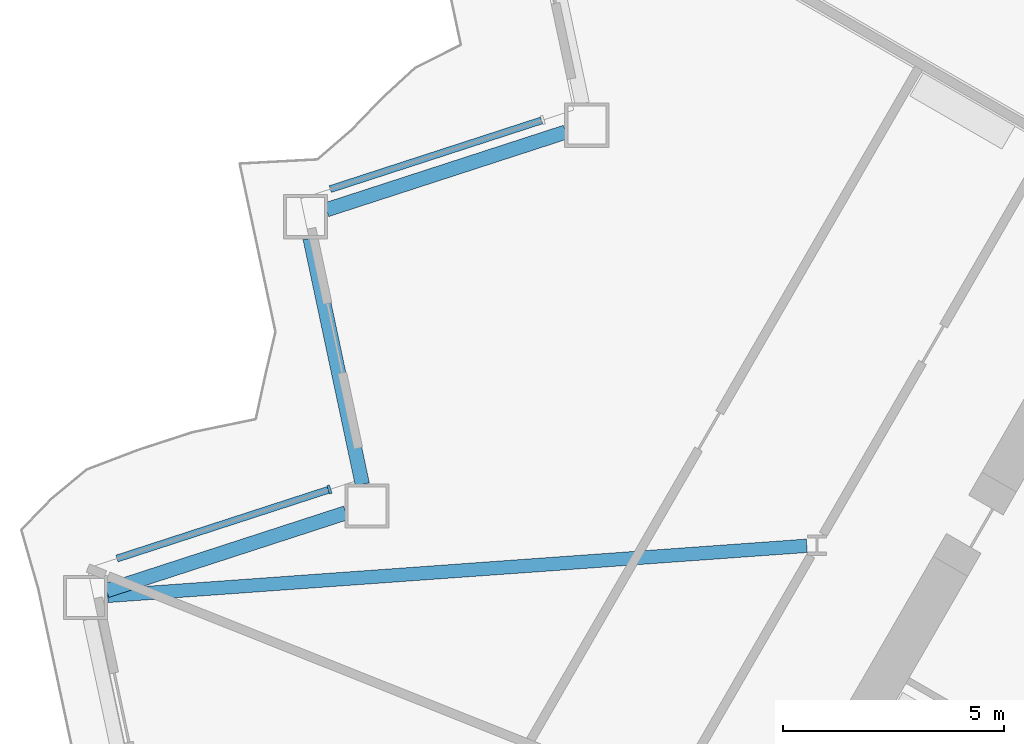
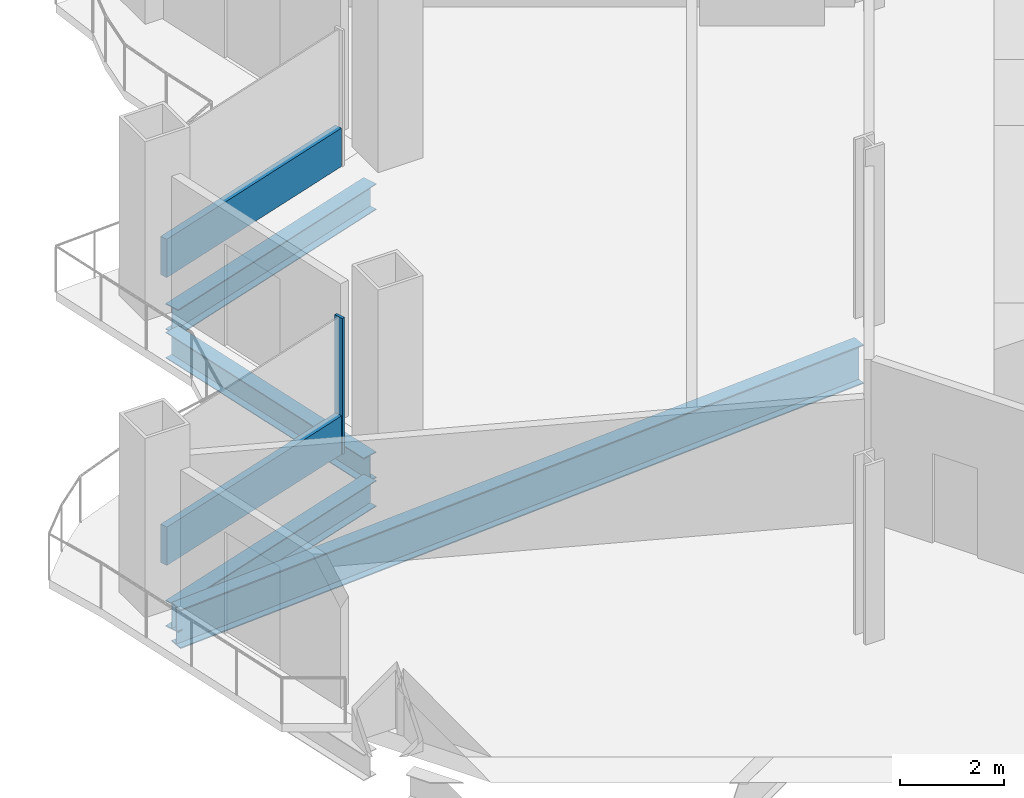
# One storey, part 3 of 20: 4 beams, 3 members, 2 elements without a shape of their own.
"""IFC4 building model written with IfcOpenShell, lengths in metres."""

from ifc_helpers import new_model, si_unit, direction, frame, origin, origin_2d, place, context, subcontext, project, spatial, rectangle, i_section, extrude, material, layer, layer_set, material_profile, profile_set, type_object, element, aggregate, save


model = new_model("IFC4")

# Units and contexts
model_context = context("Model", 3, precision=1e-05, world=origin(), true_north=direction((0.0, 1.0)))
body_context = subcontext(model_context, "Body", "Model", "MODEL_VIEW")
ifc_project = project(units=[si_unit("LENGTHUNIT", "METRE"), si_unit("AREAUNIT", "SQUARE_METRE"), si_unit("VOLUMEUNIT", "CUBIC_METRE"), si_unit("PLANEANGLEUNIT", "RADIAN"), si_unit("MASSUNIT", "GRAM", prefix="KILO")], contexts=[model_context])

# Site, building, storey
site_placement = place(None, origin())
site = spatial("IfcSite", under=ifc_project, at=site_placement, CompositionType="ELEMENT")
building_placement = place(site_placement, origin())
building = spatial("IfcBuilding", under=site, at=building_placement, Name="Cormorant Prow Tower", CompositionType="ELEMENT")
storey_placement = place(building_placement, frame((0.0, 0.0, 38.39990234375)))
storey = spatial("IfcBuildingStorey", under=building, at=storey_placement, Name="L07", CompositionType="ELEMENT", Elevation=38.39990234375)

# Curtain wall, member
ifc_material_1 = material(Name="Aluminium 6063-T6", Category="aluminium")
ifc_layer = layer(ifc_material_1, 0.199951171875)
ifc_layer_set = layer_set([ifc_layer], Name="Aluminium 6063-T6")
curtain_wall_type = type_object("IfcCurtainWallType", Name="Office unitised curtain wall 200", PredefinedType="NOTDEFINED", material=ifc_layer_set)
curtain_wall_1_placement = place(storey_placement, origin())
curtain_wall_1 = element("IfcCurtainWall", 1, at=curtain_wall_1_placement, inside=storey, type_object=curtain_wall_type, Name="Office curtain wall WNW08", PredefinedType="NOTDEFINED")
ifc_material_2 = material(Name="Aluminium 6063-T6", Category="aluminium")
ifc_material_profile_1 = material_profile(ifc_material_2, rectangle(XDim=0.199951171875, YDim=0.06005859375, at=origin_2d()), Name="Office mullion 60x200")
ifc_profile_set_1 = profile_set([ifc_material_profile_1], Name="Aluminium 6063-T6")
member_type_1 = type_object("IfcMemberType", Name="Office mullion 60x200", PredefinedType="MULLION", material=ifc_profile_set_1)
member_1_placement = place(storey_placement, frame((-26.879638671875, -1.798583984375, 0.0), z_axis=(0.0, 0.0, 1.0), x_axis=(0.309017026162, -0.951056505967, 0.0)))
member_1 = element("IfcMember", 2, at=member_1_placement, type_object=member_type_1, Name="Office mullion WNW08", PredefinedType="MULLION", context=body_context, shape_type="SweptSolid", body=[
    extrude(rectangle(XDim=0.199951171875, YDim=0.06005859375, at=origin_2d()), origin(), (0.0, 0.0, 1.0), 3.18896484375),
])

curtain_wall_2_placement = place(storey_placement, origin())
curtain_wall_2 = element("IfcCurtainWall", 3, at=curtain_wall_2_placement, inside=storey, type_object=curtain_wall_type, Name="Office curtain wall WNW06", PredefinedType="NOTDEFINED")
ifc_material_3 = material(Name="Terracotta", Category="masonry")
ifc_material_profile_2 = material_profile(ifc_material_3, rectangle(XDim=0.159912109375, YDim=0.89990234375, at=origin_2d()), Name="Office terracotta spandrel rail 160x900")
ifc_profile_set_2 = profile_set([ifc_material_profile_2], Name="Terracotta")
member_type_2 = type_object("IfcMemberType", Name="Office terracotta spandrel rail 160x900", PredefinedType="USERDEFINED", material=ifc_profile_set_2)
member_2_placement = place(storey_placement, frame((-22.090576171875, 6.536376953125, 0.4501953125), z_axis=(-0.951050518976, -0.309035451617, 0.0), x_axis=(0.309035451617, -0.951050518976, 0.0)))
member_2 = element("IfcMember", 4, at=member_2_placement, type_object=member_type_2, Name="Office spandrel rail WNW06", ObjectType="TRANSOM", PredefinedType="USERDEFINED", context=body_context, shape_type="SweptSolid", body=[
    extrude(rectangle(XDim=0.159912109375, YDim=0.89990234375, at=origin_2d()), origin(), (0.0, 0.0, 1.0), 5.0166015625),
])
aggregate(curtain_wall_2, [member_2])

# Member
member_3_placement = place(storey_placement, frame((-26.908203125, -1.807861328125, 0.4501953125), z_axis=(-0.951050518976, -0.309035451617, 0.0), x_axis=(0.309035451617, -0.951050518976, 0.0)))
member_3 = element("IfcMember", 5, at=member_3_placement, type_object=member_type_2, Name="Office spandrel rail WNW08", ObjectType="TRANSOM", PredefinedType="USERDEFINED", context=body_context, shape_type="SweptSolid", body=[
    extrude(rectangle(XDim=0.159912109375, YDim=0.89990234375, at=origin_2d()), origin(), (0.0, 0.0, 1.0), 5.0166015625),
])

aggregate(curtain_wall_1, [member_1, member_3])

# Beams
ifc_material_4 = material(Name="Structural steel ASTM A992 Gr 50", Category="steel")
ifc_material_profile_3 = material_profile(ifc_material_4, i_section(OverallWidth=0.3046875, OverallDepth=0.914794921875, WebThickness=0.0166015625, FlangeThickness=0.02587890625, at=origin_2d()), Name="W36x160")
ifc_profile_set_3 = profile_set([ifc_material_profile_3], Name="Structural steel ASTM A992 Gr 50")
beam_type_1 = type_object("IfcBeamType", Name="Radial floor beam W36x160", PredefinedType="BEAM", material=ifc_profile_set_3)
beam_1_placement = place(storey_placement, frame((-16.099365234375, -3.0703125, -0.857177734375), z_axis=(-0.997443412532, -0.071460750045, 0.0), x_axis=(0.071460750045, -0.997443412532, 0.0)))
element("IfcBeam", 6, at=beam_1_placement, inside=storey, type_object=beam_type_1, Name="Radial floor beam FB1 4 L07", PredefinedType="BEAM", context=body_context, shape_type="SweptSolid", body=[
    extrude(i_section(OverallWidth=0.3046875, OverallDepth=0.914794921875, WebThickness=0.0166015625, FlangeThickness=0.02587890625, at=origin_2d()), origin(), (0.0, 0.0, 1.0), 15.831787109375),
])
ifc_material_5 = material(Name="Structural steel ASTM A992 Gr 50", Category="steel")
ifc_material_profile_4 = material_profile(ifc_material_5, i_section(OverallWidth=0.32373046875, OverallDepth=0.611083984375, WebThickness=0.0126953125, FlangeThickness=0.01904296875, at=origin_2d()), Name="W24x104")
ifc_profile_set_4 = profile_set([ifc_material_profile_4], Name="Structural steel ASTM A992 Gr 50")
beam_type_2 = type_object("IfcBeamType", Name="Spandrel beam W24x104", PredefinedType="SPANDREL", material=ifc_profile_set_4)
beam_2_placement = place(storey_placement, frame((-21.54345703125, 6.274658203125, -0.70556640625), z_axis=(-0.951061849722, -0.309000579292, 0.0), x_axis=(0.309000579292, -0.951061849722, 0.0)))
element("IfcBeam", 7, at=beam_2_placement, inside=storey, type_object=beam_type_2, Name="Spandrel beam SB1 WNW06-WNW07 L07", PredefinedType="SPANDREL", context=body_context, shape_type="SweptSolid", body=[
    extrude(i_section(OverallWidth=0.32373046875, OverallDepth=0.611083984375, WebThickness=0.0126953125, FlangeThickness=0.01904296875, at=origin_2d()), origin(), (0.0, 0.0, 1.0), 5.682373046875),
])
beam_3_placement = place(storey_placement, frame((-27.3193359375, 3.875244140625, -0.70556640625), z_axis=(0.207900376723, -0.97815000555, 0.0), x_axis=(0.97815000555, 0.207900376723, 0.0)))
element("IfcBeam", 8, at=beam_3_placement, inside=storey, type_object=beam_type_2, Name="Spandrel beam SB1 WNW07-WNW08 L07", PredefinedType="SPANDREL", context=body_context, shape_type="SweptSolid", body=[
    extrude(i_section(OverallWidth=0.32373046875, OverallDepth=0.611083984375, WebThickness=0.0126953125, FlangeThickness=0.01904296875, at=origin_2d()), origin(), (0.0, 0.0, 1.0), 5.6826171875),
])
beam_4_placement = place(storey_placement, frame((-26.509521484375, -2.32666015625, -0.70556640625), z_axis=(-0.951049222751, -0.309039440696, 0.0), x_axis=(0.309039440696, -0.951049222751, 0.0)))
element("IfcBeam", 9, at=beam_4_placement, inside=storey, type_object=beam_type_2, Name="Spandrel beam SB1 WNW08-WNW09 L07", PredefinedType="SPANDREL", context=body_context, shape_type="SweptSolid", body=[
    extrude(i_section(OverallWidth=0.32373046875, OverallDepth=0.611083984375, WebThickness=0.0126953125, FlangeThickness=0.01904296875, at=origin_2d()), origin(), (0.0, 0.0, 1.0), 5.682373046875),
])

save(model, "model.ifc")
